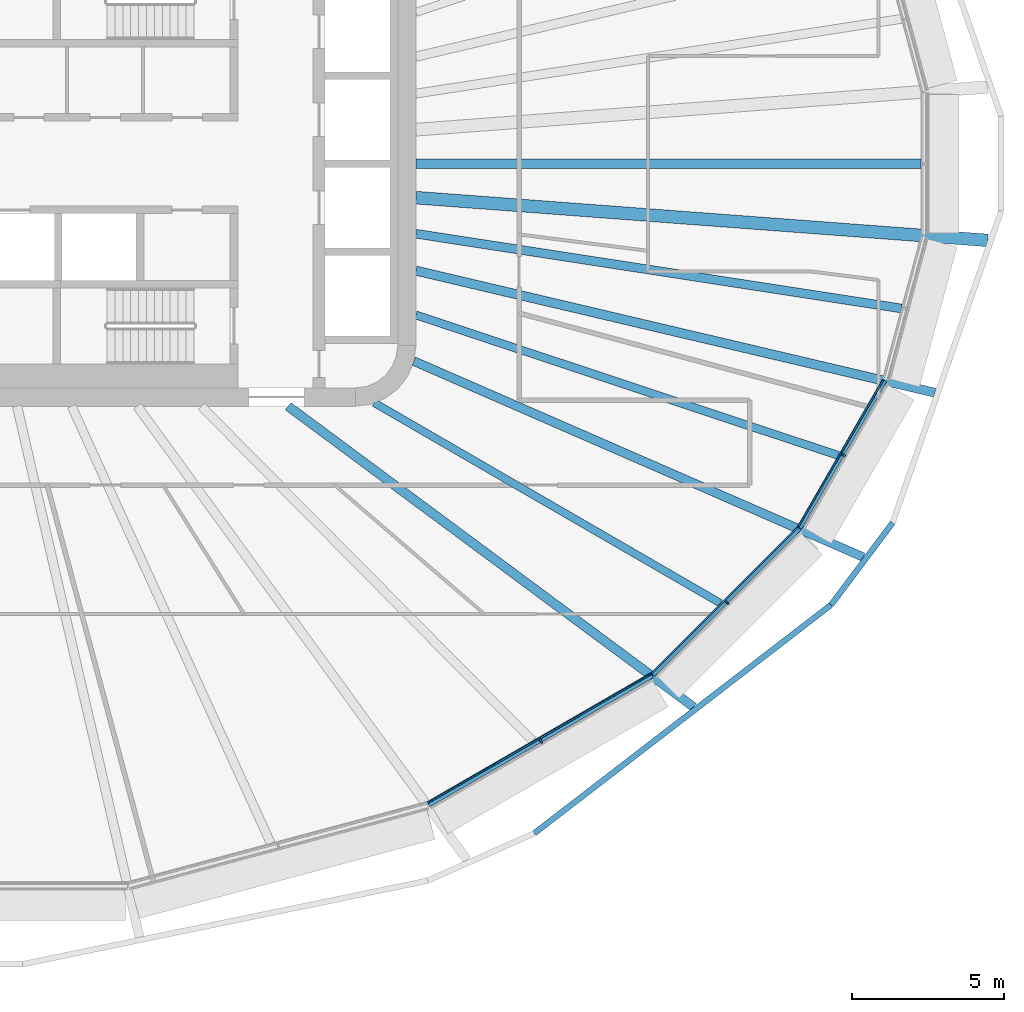
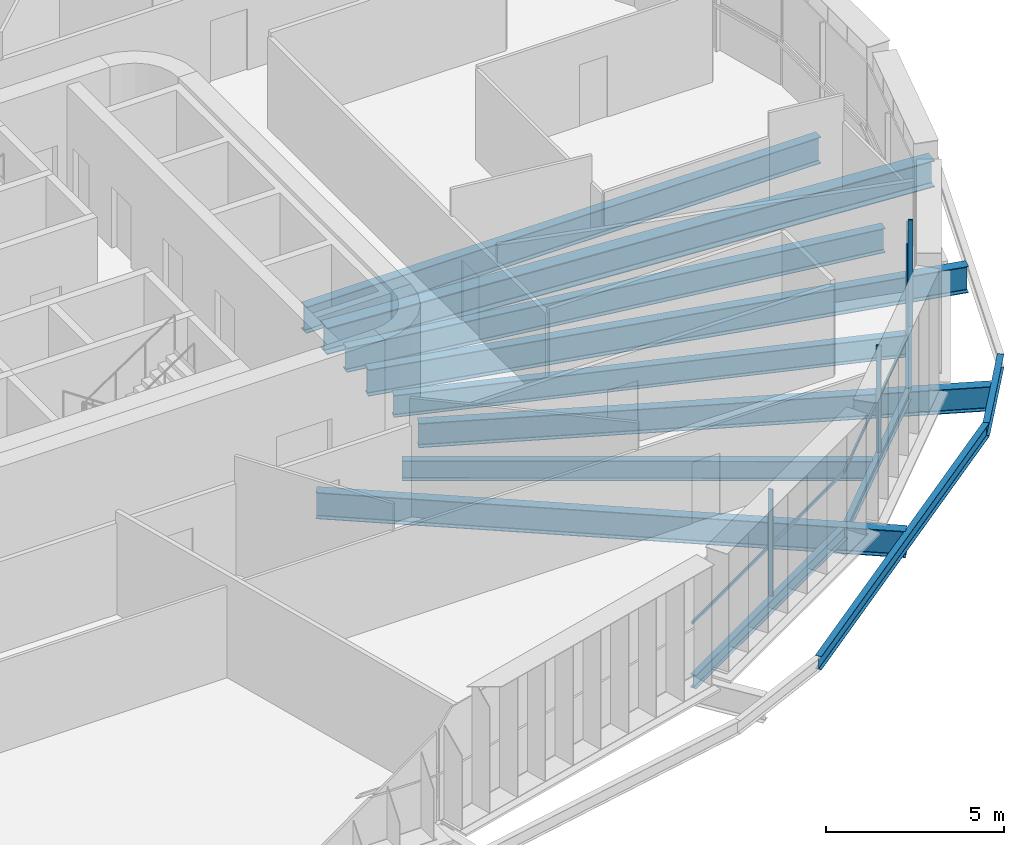
# One storey, part 5 of 24: 13 beams, 6 members, 3 elements without a shape of their own.
"""IFC4 building model written with IfcOpenShell, lengths in metres."""

from ifc_helpers import new_model, si_unit, direction, frame, origin, origin_2d, place, context, subcontext, project, spatial, rectangle, i_section, extrude, material, layer, layer_set, material_profile, profile_set, type_object, element, aggregate, save


model = new_model("IFC4")

# Units and contexts
model_context = context("Model", 3, precision=1e-05, world=origin(), true_north=direction((0.0, 1.0)))
body_context = subcontext(model_context, "Body", "Model", "MODEL_VIEW")
ifc_project = project(units=[si_unit("LENGTHUNIT", "METRE"), si_unit("AREAUNIT", "SQUARE_METRE"), si_unit("VOLUMEUNIT", "CUBIC_METRE"), si_unit("PLANEANGLEUNIT", "RADIAN"), si_unit("MASSUNIT", "GRAM", prefix="KILO")], contexts=[model_context])

# Site, building, storey
site_placement = place(None, origin())
site = spatial("IfcSite", under=ifc_project, at=site_placement, CompositionType="ELEMENT")
building_placement = place(site_placement, origin())
building = spatial("IfcBuilding", under=site, at=building_placement, Name="Sahrelin Media Tower", CompositionType="ELEMENT")
storey_placement = place(building_placement, frame((0.0, 0.0, 118.800048828125)))
storey = spatial("IfcBuildingStorey", under=building, at=storey_placement, Name="L23", CompositionType="ELEMENT", Elevation=118.800048828125)

# Beams
ifc_material_1 = material(Name="Steel S355", Category="steel")
ifc_material_profile_1 = material_profile(ifc_material_1, i_section(OverallWidth=0.1650390625, OverallDepth=0.303466796875, WebThickness=0.006103515625, FlangeThickness=0.01025390625, FilletRadius=0.0087890625, at=origin_2d()), Name="UB 305x165x40")
ifc_profile_set_1 = profile_set([ifc_material_profile_1], Name="Steel S355")
beam_type_1 = type_object("IfcBeamType", Name="Edge beam EB2", PredefinedType="BEAM", material=ifc_profile_set_1)
beam_1_placement = place(storey_placement, frame((30.445068359375, -7.150146484375, -0.3017578125), z_axis=(-0.500039387122, -0.866002662425, 0.0), x_axis=(0.866002662425, -0.500039387122, 0.0)))
element("IfcBeam", 1, at=beam_1_placement, inside=storey, type_object=beam_type_1, Name="Edge beam L23-03", PredefinedType="BEAM", context=body_context, shape_type="SweptSolid", body=[
    extrude(i_section(OverallWidth=0.1650390625, OverallDepth=0.303466796875, WebThickness=0.006103515625, FlangeThickness=0.01025390625, FilletRadius=0.0087890625, at=origin_2d()), origin(), (0.0, 0.0, 1.0), 5.60107421875),
])
ifc_material_profile_2 = material_profile(ifc_material_1, i_section(OverallWidth=0.17138671875, OverallDepth=0.35498046875, WebThickness=0.00732421875, FlangeThickness=0.011474609375, FilletRadius=0.01025390625, at=origin_2d()), Name="UB 356x171x51")
ifc_profile_set_2 = profile_set([ifc_material_profile_2], Name="Steel S355")
beam_type_2 = type_object("IfcBeamType", Name="Edge beam EB3", PredefinedType="BEAM", material=ifc_profile_set_2)
beam_2_placement = place(storey_placement, frame((27.626953125, -12.023681640625, -0.32763671875), z_axis=(-0.707106781187, -0.707106781187, 0.0), x_axis=(0.707106781187, -0.707106781187, 0.0)))
element("IfcBeam", 2, at=beam_2_placement, inside=storey, type_object=beam_type_2, Name="Edge beam L23-04", PredefinedType="BEAM", context=body_context, shape_type="SweptSolid", body=[
    extrude(i_section(OverallWidth=0.17138671875, OverallDepth=0.35498046875, WebThickness=0.00732421875, FlangeThickness=0.011474609375, FilletRadius=0.01025390625, at=origin_2d()), origin(), (0.0, 0.0, 1.0), 6.819091796875),
])
ifc_material_profile_3 = material_profile(ifc_material_1, i_section(OverallWidth=0.1904296875, OverallDepth=0.45703125, WebThickness=0.009033203125, FlangeThickness=0.014404296875, FilletRadius=0.01025390625, at=origin_2d()), Name="UB 457x191x74")
ifc_profile_set_3 = profile_set([ifc_material_profile_3], Name="Steel S355")
beam_type_3 = type_object("IfcBeamType", Name="Edge beam EB5", PredefinedType="BEAM", material=ifc_profile_set_3)
beam_3_placement = place(storey_placement, frame((22.7822265625, -16.86279296875, -0.378662109375), z_axis=(-0.866002219952, -0.500040153425, 0.0), x_axis=(0.500040153425, -0.866002219952, 0.0)))
element("IfcBeam", 3, at=beam_3_placement, inside=storey, type_object=beam_type_3, Name="Edge beam L23-05", PredefinedType="BEAM", context=body_context, shape_type="SweptSolid", body=[
    extrude(i_section(OverallWidth=0.1904296875, OverallDepth=0.45703125, WebThickness=0.009033203125, FlangeThickness=0.014404296875, FilletRadius=0.01025390625, at=origin_2d()), origin(), (0.0, 0.0, 1.0), 8.514404296875),
])

# Curtain wall, member
ifc_material_2 = material(Name="Champagne anodised aluminium 6063-T6", Category="aluminium")
ifc_layer = layer(ifc_material_2, 0.14990234375)
ifc_layer_set = layer_set([ifc_layer], Name="Tower ribbon curtain wall")
curtain_wall_type = type_object("IfcCurtainWallType", Name="Tower ribbon curtain wall", PredefinedType="NOTDEFINED", material=ifc_layer_set)
curtain_wall_1_placement = place(storey_placement, frame((19.17041015625, -19.12158203125, 0.0), z_axis=(0.0, 0.0, 1.0), x_axis=(1.0, 0.0, 0.0)))
curtain_wall_1 = element("IfcCurtainWall", 4, at=curtain_wall_1_placement, inside=storey, type_object=curtain_wall_type, Name="L23:CW:L23-20", PredefinedType="NOTDEFINED")
ifc_material_profile_4 = material_profile(ifc_material_2, rectangle(XDim=0.06005859375, YDim=0.14990234375, at=origin_2d()), Name="Mullion 60x150")
ifc_profile_set_4 = profile_set([ifc_material_profile_4], Name="Champagne anodised aluminium 6063-T6")
member_type_1 = type_object("IfcMemberType", Name="Mullion 60x150 CW1", PredefinedType="MULLION", material=ifc_profile_set_4)
member_1_placement = place(storey_placement, frame((19.122802734375, -19.039306640625, 0.0), z_axis=(0.0, 0.0, 1.0), x_axis=(0.866020167749, 0.500009068969, 0.0)))
member_1 = element("IfcMember", 5, at=member_1_placement, type_object=member_type_1, Name="L23:CWM:L23-20", PredefinedType="MULLION", context=body_context, shape_type="SweptSolid", body=[
    extrude(rectangle(XDim=0.06005859375, YDim=0.14990234375, at=origin_2d()), origin(), (0.0, 0.0, 1.0), 3.6484375),
])

curtain_wall_2_placement = place(storey_placement, frame((25.322021484375, -14.54052734375, 0.0), z_axis=(0.0, 0.0, 1.0), x_axis=(1.0, 0.0, 0.0)))
curtain_wall_2 = element("IfcCurtainWall", 6, at=curtain_wall_2_placement, inside=storey, type_object=curtain_wall_type, Name="L23:CW:L23-21", PredefinedType="NOTDEFINED")
member_2_placement = place(storey_placement, frame((25.2548828125, -14.473388671875, 0.0), z_axis=(0.0, 0.0, 1.0), x_axis=(0.707106781187, 0.707106781187, 0.0)))
member_2 = element("IfcMember", 7, at=member_2_placement, type_object=member_type_1, Name="L23:CWM:L23-21", PredefinedType="MULLION", context=body_context, shape_type="SweptSolid", body=[
    extrude(rectangle(XDim=0.06005859375, YDim=0.14990234375, at=origin_2d()), origin(), (0.0, 0.0, 1.0), 3.6484375),
])

curtain_wall_3_placement = place(storey_placement, frame((29.174560546875, -9.650390625, 0.0), z_axis=(0.0, 0.0, 1.0), x_axis=(1.0, 0.0, 0.0)))
curtain_wall_3 = element("IfcCurtainWall", 8, at=curtain_wall_3_placement, inside=storey, type_object=curtain_wall_type, Name="L23:CW:L23-22", PredefinedType="NOTDEFINED")
member_3_placement = place(storey_placement, frame((29.09228515625, -9.60302734375, 0.0), z_axis=(0.0, 0.0, 1.0), x_axis=(0.500001511499, 0.866024531118, 0.0)))
member_3 = element("IfcMember", 9, at=member_3_placement, type_object=member_type_1, Name="L23:CWM:L23-22", PredefinedType="MULLION", context=body_context, shape_type="SweptSolid", body=[
    extrude(rectangle(XDim=0.06005859375, YDim=0.14990234375, at=origin_2d()), origin(), (0.0, 0.0, 1.0), 3.6484375),
])

# Beams
ifc_material_profile_5 = material_profile(ifc_material_1, i_section(OverallWidth=0.291748046875, OverallDepth=0.8349609375, WebThickness=0.013916015625, FlangeThickness=0.018798828125, FilletRadius=0.017822265625, at=origin_2d()), Name="UB 838x292x176")
ifc_profile_set_5 = profile_set([ifc_material_profile_5], Name="Steel S355")
beam_type_4 = type_object("IfcBeamType", Name="Radial primary beam PB10", PredefinedType="BEAM", material=ifc_profile_set_5)
beam_4_placement = place(storey_placement, frame((14.9326171875, -6.512451171875, -0.567626953125), z_axis=(0.916617780481, -0.399764736446, 0.0), x_axis=(0.399764736446, 0.916617780481, 0.0)))
element("IfcBeam", 10, at=beam_4_placement, inside=storey, type_object=beam_type_4, Name="Radial beam L23-22", PredefinedType="BEAM", context=body_context, shape_type="SweptSolid", body=[
    extrude(i_section(OverallWidth=0.291748046875, OverallDepth=0.8349609375, WebThickness=0.013916015625, FlangeThickness=0.018798828125, FilletRadius=0.017822265625, at=origin_2d()), origin(), (0.0, 0.0, 1.0), 16.16357421875),
])
ifc_material_profile_6 = material_profile(ifc_material_1, i_section(OverallWidth=0.30322265625, OverallDepth=0.903076171875, WebThickness=0.01513671875, FlangeThickness=0.020263671875, FilletRadius=0.01904296875, at=origin_2d()), Name="UB 914x305x201")
ifc_profile_set_6 = profile_set([ifc_material_profile_6], Name="Steel S355")
beam_type_5 = type_object("IfcBeamType", Name="Radial primary beam PB11", PredefinedType="BEAM", material=ifc_profile_set_6)
beam_5_placement = place(storey_placement, frame((10.785888671875, -8.0, -0.6015625), z_axis=(0.803181335478, -0.59573462409, 0.0), x_axis=(0.59573462409, 0.803181335478, 0.0)))
element("IfcBeam", 11, at=beam_5_placement, inside=storey, type_object=beam_type_5, Name="Radial beam L23-21", PredefinedType="BEAM", context=body_context, shape_type="SweptSolid", body=[
    extrude(i_section(OverallWidth=0.30322265625, OverallDepth=0.903076171875, WebThickness=0.01513671875, FlangeThickness=0.020263671875, FilletRadius=0.01904296875, at=origin_2d()), origin(), (0.0, 0.0, 1.0), 16.645751953125),
])
beam_6_placement = place(storey_placement, frame((15.0, -3.528076171875, -0.6015625), z_axis=(0.973435019662, -0.228963452315, 0.0), x_axis=(0.228963452315, 0.973435019662, 0.0)))
element("IfcBeam", 12, at=beam_6_placement, inside=storey, type_object=beam_type_5, Name="Radial beam L23-23", PredefinedType="BEAM", context=body_context, shape_type="SweptSolid", body=[
    extrude(i_section(OverallWidth=0.30322265625, OverallDepth=0.903076171875, WebThickness=0.01513671875, FlangeThickness=0.020263671875, FilletRadius=0.01904296875, at=origin_2d()), origin(), (0.0, 0.0, 1.0), 17.574462890625),
])
ifc_material_profile_7 = material_profile(ifc_material_1, i_section(OverallWidth=0.41845703125, OverallDepth=0.911865234375, WebThickness=0.019287109375, FlangeThickness=0.031982421875, FilletRadius=0.024169921875, at=origin_2d()), Name="UB 914x419x343")
ifc_profile_set_7 = profile_set([ifc_material_profile_7], Name="Steel S355")
beam_type_6 = type_object("IfcBeamType", Name="Radial primary beam PB12", PredefinedType="BEAM", material=ifc_profile_set_7)
beam_7_placement = place(storey_placement, frame((15.0, -1.120849609375, -0.60595703125), z_axis=(0.997220023262, -0.074513255228, 0.0), x_axis=(0.074513255228, 0.997220023262, 0.0)))
element("IfcBeam", 13, at=beam_7_placement, inside=storey, type_object=beam_type_6, Name="Radial beam L23-24", PredefinedType="BEAM", context=body_context, shape_type="SweptSolid", body=[
    extrude(i_section(OverallWidth=0.41845703125, OverallDepth=0.911865234375, WebThickness=0.019287109375, FlangeThickness=0.031982421875, FilletRadius=0.024169921875, at=origin_2d()), origin(), (0.0, 0.0, 1.0), 18.908447265625),
])
ifc_material_profile_8 = material_profile(ifc_material_1, i_section(OverallWidth=0.291748046875, OverallDepth=0.8349609375, WebThickness=0.013916015625, FlangeThickness=0.018798828125, FilletRadius=0.017822265625, at=origin_2d()), Name="UB 838x292x176")
ifc_profile_set_8 = profile_set([ifc_material_profile_8], Name="Steel S355")
beam_type_7 = type_object("IfcBeamType", Name="Radial secondary beam SB10", PredefinedType="BEAM", material=ifc_profile_set_8)
beam_8_placement = place(storey_placement, frame((15.0, -2.31005859375, -0.567626953125), z_axis=(0.988350081488, -0.152197622918, 0.0), x_axis=(0.152197622918, 0.988350081488, 0.0)))
element("IfcBeam", 14, at=beam_8_placement, inside=storey, type_object=beam_type_7, Name="Secondary beam L23-23", PredefinedType="BEAM", context=body_context, shape_type="SweptSolid", body=[
    extrude(i_section(OverallWidth=0.291748046875, OverallDepth=0.8349609375, WebThickness=0.013916015625, FlangeThickness=0.018798828125, FilletRadius=0.017822265625, at=origin_2d()), origin(), (0.0, 0.0, 1.0), 16.1982421875),
])
ifc_material_profile_9 = material_profile(ifc_material_1, i_section(OverallWidth=0.30322265625, OverallDepth=0.903076171875, WebThickness=0.01513671875, FlangeThickness=0.020263671875, FilletRadius=0.01904296875, at=origin_2d()), Name="UB 914x305x201")
ifc_profile_set_9 = profile_set([ifc_material_profile_9], Name="Steel S355")
beam_type_8 = type_object("IfcBeamType", Name="Radial secondary beam SB11", PredefinedType="BEAM", material=ifc_profile_set_9)
beam_9_placement = place(storey_placement, frame((15.0, 0.0, -0.6015625), z_axis=(1.0, 0.0, 0.0), x_axis=(0.0, 1.0, 0.0)))
element("IfcBeam", 15, at=beam_9_placement, inside=storey, type_object=beam_type_8, Name="Secondary beam L23-24", PredefinedType="BEAM", context=body_context, shape_type="SweptSolid", body=[
    extrude(i_section(OverallWidth=0.30322265625, OverallDepth=0.903076171875, WebThickness=0.01513671875, FlangeThickness=0.020263671875, FilletRadius=0.01904296875, at=origin_2d()), origin(), (0.0, 0.0, 1.0), 16.65869140625),
])
ifc_material_profile_10 = material_profile(ifc_material_1, i_section(OverallWidth=0.2529296875, OverallDepth=0.677978515625, WebThickness=0.01171875, FlangeThickness=0.01611328125, FilletRadius=0.01513671875, at=origin_2d()), Name="UB 686x254x125")
ifc_profile_set_10 = profile_set([ifc_material_profile_10], Name="Steel S355")
beam_type_9 = type_object("IfcBeamType", Name="Radial secondary beam SB8", PredefinedType="BEAM", material=ifc_profile_set_10)
beam_10_placement = place(storey_placement, frame((13.625732421875, -7.88720703125, -0.489013671875), z_axis=(0.865466427639, -0.50096692768, 0.0), x_axis=(0.50096692768, 0.865466427639, 0.0)))
element("IfcBeam", 16, at=beam_10_placement, inside=storey, type_object=beam_type_9, Name="Secondary beam L23-21", PredefinedType="BEAM", context=body_context, shape_type="SweptSolid", body=[
    extrude(i_section(OverallWidth=0.2529296875, OverallDepth=0.677978515625, WebThickness=0.01171875, FlangeThickness=0.01611328125, FilletRadius=0.01513671875, at=origin_2d()), origin(), (0.0, 0.0, 1.0), 13.18505859375),
])
ifc_material_profile_11 = material_profile(ifc_material_1, i_section(OverallWidth=0.26513671875, OverallDepth=0.75390625, WebThickness=0.0126953125, FlangeThickness=0.017578125, FilletRadius=0.0166015625, at=origin_2d()), Name="UB 762x267x147")
ifc_profile_set_11 = profile_set([ifc_material_profile_11], Name="Steel S355")
beam_type_10 = type_object("IfcBeamType", Name="Radial secondary beam SB9", PredefinedType="BEAM", material=ifc_profile_set_11)
beam_11_placement = place(storey_placement, frame((15.0, -4.98974609375, -0.527099609375), z_axis=(0.948881111096, -0.315633707017, 0.0), x_axis=(0.315633707017, 0.948881111096, 0.0)))
element("IfcBeam", 17, at=beam_11_placement, inside=storey, type_object=beam_type_10, Name="Secondary beam L23-22", PredefinedType="BEAM", context=body_context, shape_type="SweptSolid", body=[
    extrude(i_section(OverallWidth=0.26513671875, OverallDepth=0.75390625, WebThickness=0.0126953125, FlangeThickness=0.017578125, FilletRadius=0.0166015625, at=origin_2d()), origin(), (0.0, 0.0, 1.0), 14.673095703125),
])
ifc_material_profile_12 = material_profile(ifc_material_1, i_section(OverallWidth=0.1904296875, OverallDepth=0.45703125, WebThickness=0.009033203125, FlangeThickness=0.014404296875, FilletRadius=0.01025390625, at=origin_2d()), Name="UB 457x191x74")
ifc_profile_set_12 = profile_set([ifc_material_profile_12], Name="Steel S355")
beam_type_11 = type_object("IfcBeamType", Name="Tie chord TC5", PredefinedType="BEAM", material=ifc_profile_set_12)
beam_12_placement = place(storey_placement, frame((18.9033203125, -22.0791015625, -0.378662109375), z_axis=(0.792440143833, 0.609949685173, 0.0), x_axis=(-0.609949685173, 0.792440143833, 0.0)))
element("IfcBeam", 18, at=beam_12_placement, inside=storey, type_object=beam_type_11, Name="Tie chord L23-21", PredefinedType="BEAM", context=body_context, shape_type="SweptSolid", body=[
    extrude(i_section(OverallWidth=0.1904296875, OverallDepth=0.45703125, WebThickness=0.009033203125, FlangeThickness=0.014404296875, FilletRadius=0.01025390625, at=origin_2d()), origin(), (0.0, 0.0, 1.0), 12.34423828125),
])
beam_13_placement = place(storey_placement, frame((28.685302734375, -14.5498046875, -0.378662109375), z_axis=(0.600069344871, 0.79994798665, 0.0), x_axis=(-0.79994798665, 0.600069344871, 0.0)))
element("IfcBeam", 19, at=beam_13_placement, inside=storey, type_object=beam_type_11, Name="Tie chord L23-22", PredefinedType="BEAM", context=body_context, shape_type="SweptSolid", body=[
    extrude(i_section(OverallWidth=0.1904296875, OverallDepth=0.45703125, WebThickness=0.009033203125, FlangeThickness=0.014404296875, FilletRadius=0.01025390625, at=origin_2d()), origin(), (0.0, 0.0, 1.0), 3.379638671875),
])

# Member
ifc_material_profile_13 = material_profile(ifc_material_2, rectangle(XDim=0.050048828125, YDim=0.10009765625, at=origin_2d()), Name="Transom 50x100")
ifc_profile_set_13 = profile_set([ifc_material_profile_13], Name="Champagne anodised aluminium 6063-T6")
member_type_2 = type_object("IfcMemberType", Name="Transom 50x100 CW1", PredefinedType="USERDEFINED", material=ifc_profile_set_13)
member_4_placement = place(storey_placement, frame((15.399658203125, -21.073486328125, 1.599853515625), z_axis=(0.866013526608, 0.50002057131, 0.0), x_axis=(-0.50002057131, 0.866013526608, 0.0)))
member_4 = element("IfcMember", 20, at=member_4_placement, type_object=member_type_2, Name="L23:CWT:L23-20", ObjectType="TRANSOM", PredefinedType="USERDEFINED", context=body_context, shape_type="SweptSolid", body=[
    extrude(rectangle(XDim=0.050048828125, YDim=0.10009765625, at=origin_2d()), origin(), (0.0, 0.0, 1.0), 8.483154296875),
])

aggregate(curtain_wall_1, [member_1, member_4])

member_5_placement = place(storey_placement, frame((22.784423828125, -16.802490234375, 1.599853515625), z_axis=(0.707106781187, 0.707106781187, 0.0), x_axis=(-0.707106781187, 0.707106781187, 0.0)))
member_5 = element("IfcMember", 21, at=member_5_placement, type_object=member_type_2, Name="L23:CWT:L23-21", ObjectType="TRANSOM", PredefinedType="USERDEFINED", context=body_context, shape_type="SweptSolid", body=[
    extrude(rectangle(XDim=0.050048828125, YDim=0.10009765625, at=origin_2d()), origin(), (0.0, 0.0, 1.0), 6.78759765625),
])

aggregate(curtain_wall_2, [member_2, member_5])

member_6_placement = place(storey_placement, frame((27.61328125, -11.964599609375, 1.599853515625), z_axis=(0.500028539159, 0.866008926066, 0.0), x_axis=(-0.866008926066, 0.500028539159, 0.0)))
member_6 = element("IfcMember", 22, at=member_6_placement, type_object=member_type_2, Name="L23:CWT:L23-22", ObjectType="TRANSOM", PredefinedType="USERDEFINED", context=body_context, shape_type="SweptSolid", body=[
    extrude(rectangle(XDim=0.050048828125, YDim=0.10009765625, at=origin_2d()), origin(), (0.0, 0.0, 1.0), 5.569580078125),
])

aggregate(curtain_wall_3, [member_3, member_6])

save(model, "model.ifc")
